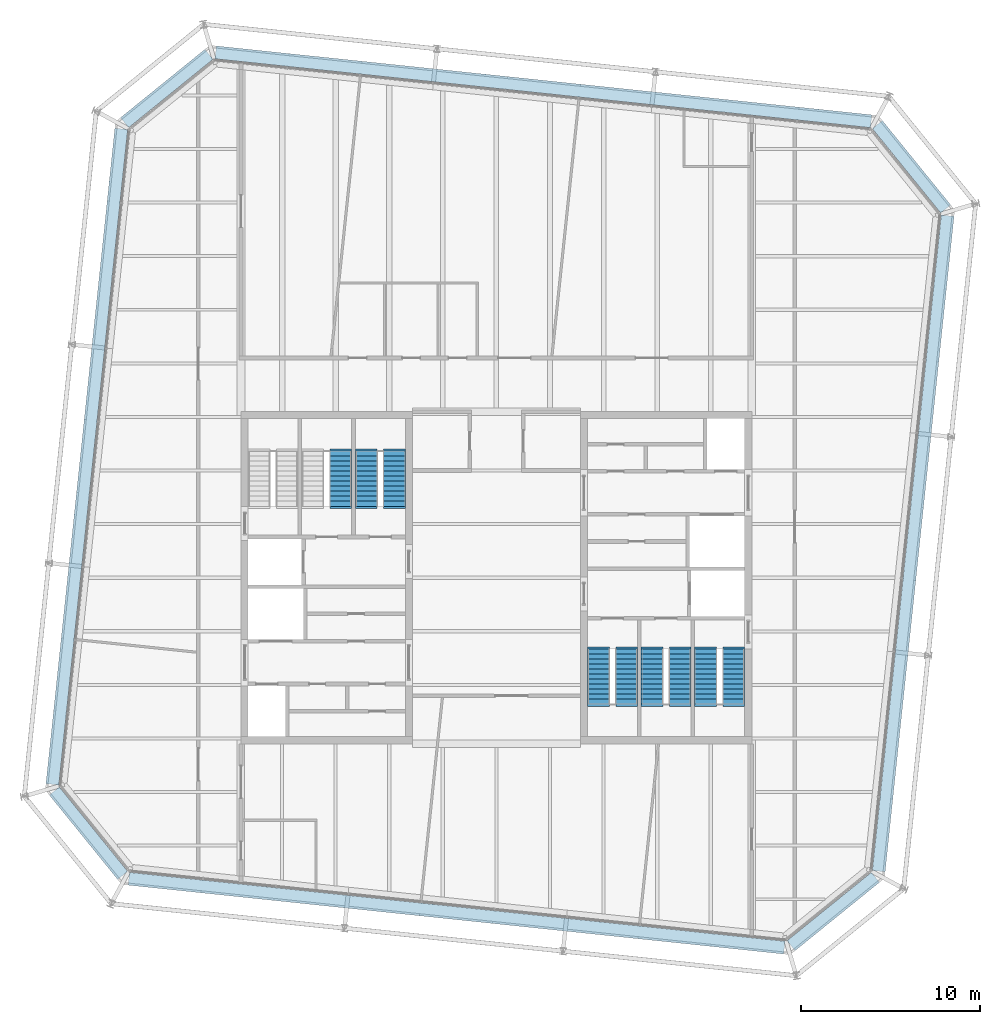
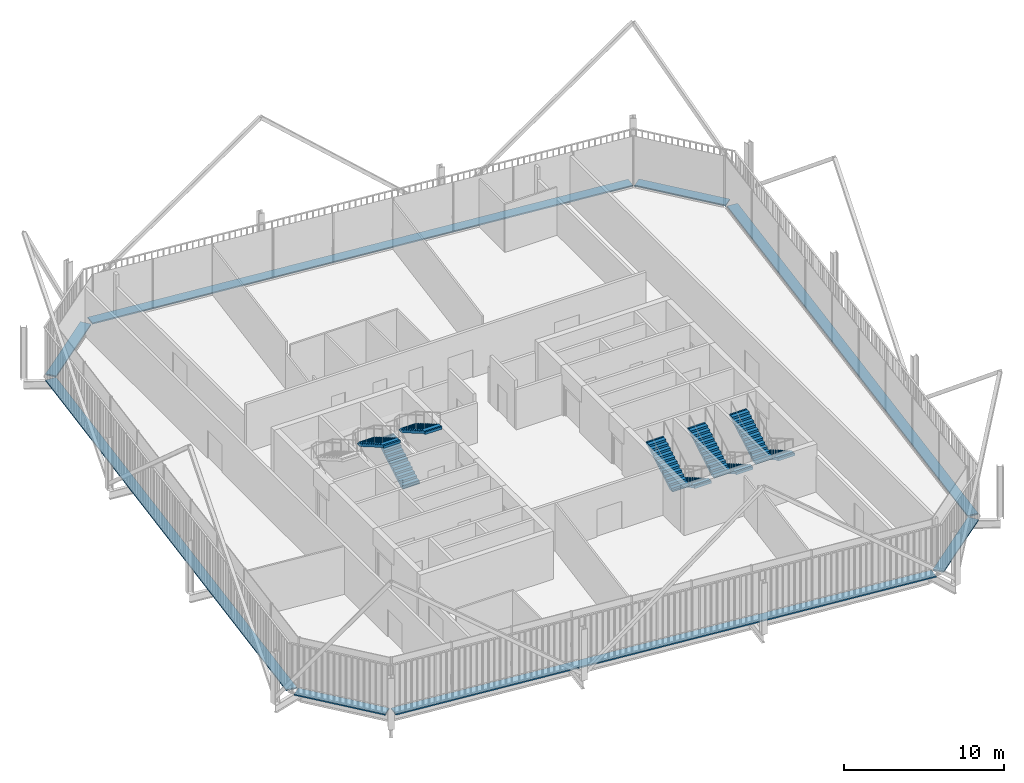
# One storey, part 20 of 21: 9 stair flights, 8 discrete accessories, 5 elements without a shape of their own.
"""IFC4 building model written with IfcOpenShell, lengths in metres."""

from ifc_helpers import new_model, si_unit, direction, frame, origin, origin_2d, place, context, subcontext, project, spatial, polyline, rectangle, outline, extrude, material, type_object, element, aggregate, save


model = new_model("IFC4")

# Units and contexts
model_context = context("Model", 3, precision=1e-05, world=origin(), true_north=direction((0.0, 1.0)))
body_context = subcontext(model_context, "Body", "Model", "MODEL_VIEW")
ifc_project = project(units=[si_unit("LENGTHUNIT", "METRE"), si_unit("AREAUNIT", "SQUARE_METRE"), si_unit("VOLUMEUNIT", "CUBIC_METRE"), si_unit("PLANEANGLEUNIT", "RADIAN"), si_unit("MASSUNIT", "GRAM", prefix="KILO")], contexts=[model_context])

# Site, building, storey
site_placement = place(None, origin())
site = spatial("IfcSite", under=ifc_project, at=site_placement, CompositionType="ELEMENT")
building_placement = place(site_placement, origin())
building = spatial("IfcBuilding", under=site, at=building_placement, Name="Millrace Tower", CompositionType="ELEMENT")
storey_placement = place(building_placement, frame((0.0, 0.0, 307.199951171875)))
storey = spatial("IfcBuildingStorey", under=building, at=storey_placement, Name="L71", CompositionType="ELEMENT", Elevation=307.199951171875)

# Stair, stair flight
ifc_material_1 = material(Name="Concrete C35", Category="concrete")
stair_type = type_object("IfcStairType", Name="Exit stair", PredefinedType="HALF_TURN_STAIR", material=ifc_material_1)
placement = place(storey_placement, origin())
stair_1 = element("IfcStair", 1, at=placement, inside=storey, type_object=stair_type, Name="Stair 2 W L71", PredefinedType="HALF_TURN_STAIR")
ifc_material_2 = material(Name="Concrete C35", Category="concrete")
stair_flight_type = type_object("IfcStairFlightType", Name="Exit stair flight", PredefinedType="STRAIGHT", material=ifc_material_2)
stair_flight_1_placement = place(storey_placement, frame((-8.7099609375, 7.080078125, 1.949951171875), z_axis=(0.0, 0.0, 1.0), x_axis=(0.0, -1.0, 0.0)))
stair_flight_1 = element("IfcStairFlight", 2, at=stair_flight_1_placement, type_object=stair_flight_type, Name="ST12 flight 2", NumberOfRisers=12, NumberOfTreads=11, PredefinedType="STRAIGHT", RiserHeight=0.1625, TreadLength=0.28, context=body_context, shape_type="SweptSolid", body=[
    extrude(outline(polyline([(-0.1201171875, -0.0400390625), (-0.1201171875, 0.0), (0.0, 0.0), (0.0, 0.16259765625), (0.280029296875, 0.16259765625), (0.280029296875, 0.324951171875), (0.56005859375, 0.324951171875), (0.56005859375, 0.487548828125), (0.840087890625, 0.487548828125), (0.840087890625, 0.64990234375), (1.1201171875, 0.64990234375), (1.1201171875, 0.8125), (1.39990234375, 0.8125), (1.39990234375, 0.97509765625), (1.679931640625, 0.97509765625), (1.679931640625, 1.137451171875), (1.9599609375, 1.137451171875), (1.9599609375, 1.300048828125), (2.239990234375, 1.300048828125), (2.239990234375, 1.46240234375), (2.52001953125, 1.46240234375), (2.52001953125, 1.625), (2.800048828125, 1.625), (2.800048828125, 1.78759765625), (3.080078125, 1.78759765625), (3.080078125, 1.8076171875), (3.199951171875, 1.8076171875), (3.199951171875, 1.6142578125), (3.080078125, 1.6142578125), (0.298583984375, 0.0), (0.298583984375, -0.0400390625), (-0.1201171875, -0.0400390625)])), frame((0.0, 0.60986328125, 0.0), z_axis=(0.0, -1.0, 0.0), x_axis=(1.0, 0.0, 0.0)), (0.0, 0.0, 1.0), 1.219970703125),
])
aggregate(stair_1, [stair_flight_1])

# Stair, stair flights
stair_2 = element("IfcStair", 3, at=placement, inside=storey, type_object=stair_type, Name="Stair 3 W L71", PredefinedType="HALF_TURN_STAIR")
stair_flight_2_placement = place(storey_placement, frame((-7.2900390625, 4.0, 0.0), z_axis=(0.0, 0.0, 1.0), x_axis=(0.0, 1.0, 0.0)))
stair_flight_2 = element("IfcStairFlight", 4, at=stair_flight_2_placement, type_object=stair_flight_type, Name="ST12 flight 1", NumberOfRisers=12, NumberOfTreads=11, PredefinedType="STRAIGHT", RiserHeight=0.1625, TreadLength=0.28, context=body_context, shape_type="SweptSolid", body=[
    extrude(outline(polyline([(-0.1201171875, -0.0400390625), (-0.1201171875, 0.0), (0.0, 0.0), (0.0, 0.16259765625), (0.280029296875, 0.16259765625), (0.280029296875, 0.324951171875), (0.56005859375, 0.324951171875), (0.56005859375, 0.487548828125), (0.840087890625, 0.487548828125), (0.840087890625, 0.64990234375), (1.1201171875, 0.64990234375), (1.1201171875, 0.8125), (1.39990234375, 0.8125), (1.39990234375, 0.97509765625), (1.679931640625, 0.97509765625), (1.679931640625, 1.137451171875), (1.9599609375, 1.137451171875), (1.9599609375, 1.300048828125), (2.239990234375, 1.300048828125), (2.239990234375, 1.46240234375), (2.52001953125, 1.46240234375), (2.52001953125, 1.625), (2.800048828125, 1.625), (2.800048828125, 1.78759765625), (3.080078125, 1.78759765625), (3.080078125, 1.8076171875), (3.199951171875, 1.8076171875), (3.199951171875, 1.6142578125), (3.080078125, 1.6142578125), (0.298583984375, 0.0), (0.298583984375, -0.0400390625), (-0.1201171875, -0.0400390625)])), frame((0.0, 0.60986328125, 0.0), z_axis=(0.0, -1.0, 0.0), x_axis=(1.0, 0.0, 0.0)), (0.0, 0.0, 1.0), 1.219970703125),
])
stair_flight_3_placement = place(storey_placement, frame((-5.7099609375, 7.080078125, 1.949951171875), z_axis=(0.0, 0.0, 1.0), x_axis=(0.0, -1.0, 0.0)))
stair_flight_3 = element("IfcStairFlight", 5, at=stair_flight_3_placement, type_object=stair_flight_type, Name="ST12 flight 2", NumberOfRisers=12, NumberOfTreads=11, PredefinedType="STRAIGHT", RiserHeight=0.1625, TreadLength=0.28, context=body_context, shape_type="SweptSolid", body=[
    extrude(outline(polyline([(-0.1201171875, -0.0400390625), (-0.1201171875, 0.0), (0.0, 0.0), (0.0, 0.16259765625), (0.280029296875, 0.16259765625), (0.280029296875, 0.324951171875), (0.56005859375, 0.324951171875), (0.56005859375, 0.487548828125), (0.840087890625, 0.487548828125), (0.840087890625, 0.64990234375), (1.1201171875, 0.64990234375), (1.1201171875, 0.8125), (1.39990234375, 0.8125), (1.39990234375, 0.97509765625), (1.679931640625, 0.97509765625), (1.679931640625, 1.137451171875), (1.9599609375, 1.137451171875), (1.9599609375, 1.300048828125), (2.239990234375, 1.300048828125), (2.239990234375, 1.46240234375), (2.52001953125, 1.46240234375), (2.52001953125, 1.625), (2.800048828125, 1.625), (2.800048828125, 1.78759765625), (3.080078125, 1.78759765625), (3.080078125, 1.8076171875), (3.199951171875, 1.8076171875), (3.199951171875, 1.6142578125), (3.080078125, 1.6142578125), (0.298583984375, 0.0), (0.298583984375, -0.0400390625), (-0.1201171875, -0.0400390625)])), frame((0.0, 0.60986328125, 0.0), z_axis=(0.0, -1.0, 0.0), x_axis=(1.0, 0.0, 0.0)), (0.0, 0.0, 1.0), 1.219970703125),
])
aggregate(stair_2, [stair_flight_2, stair_flight_3])

stair_3 = element("IfcStair", 6, at=placement, inside=storey, type_object=stair_type, Name="Stair 1 E L71", PredefinedType="HALF_TURN_STAIR")
stair_flight_4_placement = place(storey_placement, frame((13.2900390625, -4.0, 0.0), z_axis=(0.0, 0.0, 1.0), x_axis=(0.0, -1.0, 0.0)))
stair_flight_4 = element("IfcStairFlight", 7, at=stair_flight_4_placement, type_object=stair_flight_type, Name="ST12 flight 1", NumberOfRisers=12, NumberOfTreads=11, PredefinedType="STRAIGHT", RiserHeight=0.1625, TreadLength=0.28, context=body_context, shape_type="SweptSolid", body=[
    extrude(outline(polyline([(-0.1201171875, -0.0400390625), (-0.1201171875, 0.0), (0.0, 0.0), (0.0, 0.16259765625), (0.280029296875, 0.16259765625), (0.280029296875, 0.324951171875), (0.56005859375, 0.324951171875), (0.56005859375, 0.487548828125), (0.840087890625, 0.487548828125), (0.840087890625, 0.64990234375), (1.1201171875, 0.64990234375), (1.1201171875, 0.8125), (1.39990234375, 0.8125), (1.39990234375, 0.97509765625), (1.679931640625, 0.97509765625), (1.679931640625, 1.137451171875), (1.9599609375, 1.137451171875), (1.9599609375, 1.300048828125), (2.239990234375, 1.300048828125), (2.239990234375, 1.46240234375), (2.52001953125, 1.46240234375), (2.52001953125, 1.625), (2.800048828125, 1.625), (2.800048828125, 1.78759765625), (3.080078125, 1.78759765625), (3.080078125, 1.8076171875), (3.199951171875, 1.8076171875), (3.199951171875, 1.6142578125), (3.080078125, 1.6142578125), (0.298583984375, 0.0), (0.298583984375, -0.0400390625), (-0.1201171875, -0.0400390625)])), frame((0.0, 0.60986328125, 0.0), z_axis=(0.0, -1.0, 0.0), x_axis=(1.0, 0.0, 0.0)), (0.0, 0.0, 1.0), 1.219970703125),
])
stair_flight_5_placement = place(storey_placement, frame((11.7099609375, -7.080078125, 1.949951171875), z_axis=(0.0, 0.0, 1.0), x_axis=(0.0, 1.0, 0.0)))
stair_flight_5 = element("IfcStairFlight", 8, at=stair_flight_5_placement, type_object=stair_flight_type, Name="ST12 flight 2", NumberOfRisers=12, NumberOfTreads=11, PredefinedType="STRAIGHT", RiserHeight=0.1625, TreadLength=0.28, context=body_context, shape_type="SweptSolid", body=[
    extrude(outline(polyline([(-0.1201171875, -0.0400390625), (-0.1201171875, 0.0), (0.0, 0.0), (0.0, 0.16259765625), (0.280029296875, 0.16259765625), (0.280029296875, 0.324951171875), (0.56005859375, 0.324951171875), (0.56005859375, 0.487548828125), (0.840087890625, 0.487548828125), (0.840087890625, 0.64990234375), (1.1201171875, 0.64990234375), (1.1201171875, 0.8125), (1.39990234375, 0.8125), (1.39990234375, 0.97509765625), (1.679931640625, 0.97509765625), (1.679931640625, 1.137451171875), (1.9599609375, 1.137451171875), (1.9599609375, 1.300048828125), (2.239990234375, 1.300048828125), (2.239990234375, 1.46240234375), (2.52001953125, 1.46240234375), (2.52001953125, 1.625), (2.800048828125, 1.625), (2.800048828125, 1.78759765625), (3.080078125, 1.78759765625), (3.080078125, 1.8076171875), (3.199951171875, 1.8076171875), (3.199951171875, 1.6142578125), (3.080078125, 1.6142578125), (0.298583984375, 0.0), (0.298583984375, -0.0400390625), (-0.1201171875, -0.0400390625)])), frame((0.0, 0.60986328125, 0.0), z_axis=(0.0, -1.0, 0.0), x_axis=(1.0, 0.0, 0.0)), (0.0, 0.0, 1.0), 1.219970703125),
])
aggregate(stair_3, [stair_flight_4, stair_flight_5])

stair_4 = element("IfcStair", 9, at=placement, inside=storey, type_object=stair_type, Name="Stair 2 E L71", PredefinedType="HALF_TURN_STAIR")
stair_flight_6_placement = place(storey_placement, frame((10.2900390625, -4.0, 0.0), z_axis=(0.0, 0.0, 1.0), x_axis=(0.0, -1.0, 0.0)))
stair_flight_6 = element("IfcStairFlight", 10, at=stair_flight_6_placement, type_object=stair_flight_type, Name="ST12 flight 1", NumberOfRisers=12, NumberOfTreads=11, PredefinedType="STRAIGHT", RiserHeight=0.1625, TreadLength=0.28, context=body_context, shape_type="SweptSolid", body=[
    extrude(outline(polyline([(-0.1201171875, -0.0400390625), (-0.1201171875, 0.0), (0.0, 0.0), (0.0, 0.16259765625), (0.280029296875, 0.16259765625), (0.280029296875, 0.324951171875), (0.56005859375, 0.324951171875), (0.56005859375, 0.487548828125), (0.840087890625, 0.487548828125), (0.840087890625, 0.64990234375), (1.1201171875, 0.64990234375), (1.1201171875, 0.8125), (1.39990234375, 0.8125), (1.39990234375, 0.97509765625), (1.679931640625, 0.97509765625), (1.679931640625, 1.137451171875), (1.9599609375, 1.137451171875), (1.9599609375, 1.300048828125), (2.239990234375, 1.300048828125), (2.239990234375, 1.46240234375), (2.52001953125, 1.46240234375), (2.52001953125, 1.625), (2.800048828125, 1.625), (2.800048828125, 1.78759765625), (3.080078125, 1.78759765625), (3.080078125, 1.8076171875), (3.199951171875, 1.8076171875), (3.199951171875, 1.6142578125), (3.080078125, 1.6142578125), (0.298583984375, 0.0), (0.298583984375, -0.0400390625), (-0.1201171875, -0.0400390625)])), frame((0.0, 0.60986328125, 0.0), z_axis=(0.0, -1.0, 0.0), x_axis=(1.0, 0.0, 0.0)), (0.0, 0.0, 1.0), 1.219970703125),
])
stair_flight_7_placement = place(storey_placement, frame((8.7099609375, -7.080078125, 1.949951171875), z_axis=(0.0, 0.0, 1.0), x_axis=(0.0, 1.0, 0.0)))
stair_flight_7 = element("IfcStairFlight", 11, at=stair_flight_7_placement, type_object=stair_flight_type, Name="ST12 flight 2", NumberOfRisers=12, NumberOfTreads=11, PredefinedType="STRAIGHT", RiserHeight=0.1625, TreadLength=0.28, context=body_context, shape_type="SweptSolid", body=[
    extrude(outline(polyline([(-0.1201171875, -0.0400390625), (-0.1201171875, 0.0), (0.0, 0.0), (0.0, 0.16259765625), (0.280029296875, 0.16259765625), (0.280029296875, 0.324951171875), (0.56005859375, 0.324951171875), (0.56005859375, 0.487548828125), (0.840087890625, 0.487548828125), (0.840087890625, 0.64990234375), (1.1201171875, 0.64990234375), (1.1201171875, 0.8125), (1.39990234375, 0.8125), (1.39990234375, 0.97509765625), (1.679931640625, 0.97509765625), (1.679931640625, 1.137451171875), (1.9599609375, 1.137451171875), (1.9599609375, 1.300048828125), (2.239990234375, 1.300048828125), (2.239990234375, 1.46240234375), (2.52001953125, 1.46240234375), (2.52001953125, 1.625), (2.800048828125, 1.625), (2.800048828125, 1.78759765625), (3.080078125, 1.78759765625), (3.080078125, 1.8076171875), (3.199951171875, 1.8076171875), (3.199951171875, 1.6142578125), (3.080078125, 1.6142578125), (0.298583984375, 0.0), (0.298583984375, -0.0400390625), (-0.1201171875, -0.0400390625)])), frame((0.0, 0.60986328125, 0.0), z_axis=(0.0, -1.0, 0.0), x_axis=(1.0, 0.0, 0.0)), (0.0, 0.0, 1.0), 1.219970703125),
])
aggregate(stair_4, [stair_flight_6, stair_flight_7])

stair_5 = element("IfcStair", 12, at=placement, inside=storey, type_object=stair_type, Name="Stair 3 E L71", PredefinedType="HALF_TURN_STAIR")
stair_flight_8_placement = place(storey_placement, frame((7.2900390625, -4.0, 0.0), z_axis=(0.0, 0.0, 1.0), x_axis=(0.0, -1.0, 0.0)))
stair_flight_8 = element("IfcStairFlight", 13, at=stair_flight_8_placement, type_object=stair_flight_type, Name="ST12 flight 1", NumberOfRisers=12, NumberOfTreads=11, PredefinedType="STRAIGHT", RiserHeight=0.1625, TreadLength=0.28, context=body_context, shape_type="SweptSolid", body=[
    extrude(outline(polyline([(-0.1201171875, -0.0400390625), (-0.1201171875, 0.0), (0.0, 0.0), (0.0, 0.16259765625), (0.280029296875, 0.16259765625), (0.280029296875, 0.324951171875), (0.56005859375, 0.324951171875), (0.56005859375, 0.487548828125), (0.840087890625, 0.487548828125), (0.840087890625, 0.64990234375), (1.1201171875, 0.64990234375), (1.1201171875, 0.8125), (1.39990234375, 0.8125), (1.39990234375, 0.97509765625), (1.679931640625, 0.97509765625), (1.679931640625, 1.137451171875), (1.9599609375, 1.137451171875), (1.9599609375, 1.300048828125), (2.239990234375, 1.300048828125), (2.239990234375, 1.46240234375), (2.52001953125, 1.46240234375), (2.52001953125, 1.625), (2.800048828125, 1.625), (2.800048828125, 1.78759765625), (3.080078125, 1.78759765625), (3.080078125, 1.8076171875), (3.199951171875, 1.8076171875), (3.199951171875, 1.6142578125), (3.080078125, 1.6142578125), (0.298583984375, 0.0), (0.298583984375, -0.0400390625), (-0.1201171875, -0.0400390625)])), frame((0.0, 0.60986328125, 0.0), z_axis=(0.0, -1.0, 0.0), x_axis=(1.0, 0.0, 0.0)), (0.0, 0.0, 1.0), 1.219970703125),
])
stair_flight_9_placement = place(storey_placement, frame((5.7099609375, -7.080078125, 1.949951171875), z_axis=(0.0, 0.0, 1.0), x_axis=(0.0, 1.0, 0.0)))
stair_flight_9 = element("IfcStairFlight", 14, at=stair_flight_9_placement, type_object=stair_flight_type, Name="ST12 flight 2", NumberOfRisers=12, NumberOfTreads=11, PredefinedType="STRAIGHT", RiserHeight=0.1625, TreadLength=0.28, context=body_context, shape_type="SweptSolid", body=[
    extrude(outline(polyline([(-0.1201171875, -0.0400390625), (-0.1201171875, 0.0), (0.0, 0.0), (0.0, 0.16259765625), (0.280029296875, 0.16259765625), (0.280029296875, 0.324951171875), (0.56005859375, 0.324951171875), (0.56005859375, 0.487548828125), (0.840087890625, 0.487548828125), (0.840087890625, 0.64990234375), (1.1201171875, 0.64990234375), (1.1201171875, 0.8125), (1.39990234375, 0.8125), (1.39990234375, 0.97509765625), (1.679931640625, 0.97509765625), (1.679931640625, 1.137451171875), (1.9599609375, 1.137451171875), (1.9599609375, 1.300048828125), (2.239990234375, 1.300048828125), (2.239990234375, 1.46240234375), (2.52001953125, 1.46240234375), (2.52001953125, 1.625), (2.800048828125, 1.625), (2.800048828125, 1.78759765625), (3.080078125, 1.78759765625), (3.080078125, 1.8076171875), (3.199951171875, 1.8076171875), (3.199951171875, 1.6142578125), (3.080078125, 1.6142578125), (0.298583984375, 0.0), (0.298583984375, -0.0400390625), (-0.1201171875, -0.0400390625)])), frame((0.0, 0.60986328125, 0.0), z_axis=(0.0, -1.0, 0.0), x_axis=(1.0, 0.0, 0.0)), (0.0, 0.0, 1.0), 1.219970703125),
])
aggregate(stair_5, [stair_flight_8, stair_flight_9])

# Discrete accessories
ifc_material_3 = material(Name="Stainless steel ASTM A240 type 316", Category="steel")
discrete_accessory_type = type_object("IfcDiscreteAccessoryType", Name="Thermally broken screen support rail", PredefinedType="BRACKET", material=ifc_material_3)
discrete_accessory_1_placement = place(storey_placement, frame((-22.836669921875, -14.304931640625, 0.0), z_axis=(0.0, 0.0, 1.0), x_axis=(0.629320278945, -0.777146052237, 0.0)))
element("IfcDiscreteAccessory", 15, at=discrete_accessory_1_placement, inside=storey, type_object=discrete_accessory_type, Name="Thermally broken screen support rail E-F01 L71 1", PredefinedType="BRACKET", context=body_context, shape_type="SweptSolid", body=[
    extrude(rectangle(XDim=6.0810546875, YDim=0.719970703125, at=origin_2d()), origin(), (0.0, 0.0, 1.0), 0.10009765625),
])
discrete_accessory_2_placement = place(storey_placement, frame((-2.2314453125, -18.782470703125, 0.0), z_axis=(0.0, 0.0, 1.0), x_axis=(0.994521896217, -0.104528455196, 0.0)))
element("IfcDiscreteAccessory", 16, at=discrete_accessory_2_placement, inside=storey, type_object=discrete_accessory_type, Name="Thermally broken screen support rail E-F02 L71 1", PredefinedType="BRACKET", context=body_context, shape_type="SweptSolid", body=[
    extrude(rectangle(XDim=36.89990234375, YDim=0.719970703125, at=origin_2d()), origin(), (0.0, 0.0, 1.0), 0.10009765625),
])
discrete_accessory_3_placement = place(storey_placement, frame((18.854736328125, -18.686767578125, 0.0), z_axis=(0.0, 0.0, 1.0), x_axis=(0.777146052237, 0.629320278945, 0.0)))
element("IfcDiscreteAccessory", 17, at=discrete_accessory_3_placement, inside=storey, type_object=discrete_accessory_type, Name="Thermally broken screen support rail E-F03 L71 1", PredefinedType="BRACKET", context=body_context, shape_type="SweptSolid", body=[
    extrude(rectangle(XDim=6.0810546875, YDim=0.719970703125, at=origin_2d()), origin(), (0.0, 0.0, 1.0), 0.10009765625),
])
discrete_accessory_4_placement = place(storey_placement, frame((23.33251953125, 1.918701171875, 0.0), z_axis=(0.0, 0.0, 1.0), x_axis=(0.104528455196, 0.994521896217, 0.0)))
element("IfcDiscreteAccessory", 18, at=discrete_accessory_4_placement, inside=storey, type_object=discrete_accessory_type, Name="Thermally broken screen support rail E-F04 L71 1", PredefinedType="BRACKET", context=body_context, shape_type="SweptSolid", body=[
    extrude(rectangle(XDim=36.89990234375, YDim=0.719970703125, at=origin_2d()), origin(), (0.0, 0.0, 1.0), 0.10009765625),
])
discrete_accessory_5_placement = place(storey_placement, frame((23.23681640625, 23.0048828125, 0.0), z_axis=(0.0, 0.0, 1.0), x_axis=(-0.629320278945, 0.777146052237, 0.0)))
element("IfcDiscreteAccessory", 19, at=discrete_accessory_5_placement, inside=storey, type_object=discrete_accessory_type, Name="Thermally broken screen support rail E-F05 L71 1", PredefinedType="BRACKET", context=body_context, shape_type="SweptSolid", body=[
    extrude(rectangle(XDim=6.0810546875, YDim=0.719970703125, at=origin_2d()), origin(), (0.0, 0.0, 1.0), 0.10009765625),
])
discrete_accessory_6_placement = place(storey_placement, frame((2.63134765625, 27.482666015625, 0.0), z_axis=(0.0, 0.0, 1.0), x_axis=(-0.994521896217, 0.104528455196, 0.0)))
element("IfcDiscreteAccessory", 20, at=discrete_accessory_6_placement, inside=storey, type_object=discrete_accessory_type, Name="Thermally broken screen support rail E-F06 L71 1", PredefinedType="BRACKET", context=body_context, shape_type="SweptSolid", body=[
    extrude(rectangle(XDim=36.89990234375, YDim=0.719970703125, at=origin_2d()), origin(), (0.0, 0.0, 1.0), 0.10009765625),
])
discrete_accessory_7_placement = place(storey_placement, frame((-18.454833984375, 27.38671875, 0.0), z_axis=(0.0, 0.0, 1.0), x_axis=(-0.777146052237, -0.629320278945, 0.0)))
element("IfcDiscreteAccessory", 21, at=discrete_accessory_7_placement, inside=storey, type_object=discrete_accessory_type, Name="Thermally broken screen support rail E-F07 L71 1", PredefinedType="BRACKET", context=body_context, shape_type="SweptSolid", body=[
    extrude(rectangle(XDim=6.0810546875, YDim=0.719970703125, at=origin_2d()), origin(), (0.0, 0.0, 1.0), 0.10009765625),
])
discrete_accessory_8_placement = place(storey_placement, frame((-22.9326171875, 6.78125, 0.0), z_axis=(0.0, 0.0, 1.0), x_axis=(-0.104528455196, -0.994521896217, 0.0)))
element("IfcDiscreteAccessory", 22, at=discrete_accessory_8_placement, inside=storey, type_object=discrete_accessory_type, Name="Thermally broken screen support rail E-F08 L71 1", PredefinedType="BRACKET", context=body_context, shape_type="SweptSolid", body=[
    extrude(rectangle(XDim=36.89990234375, YDim=0.719970703125, at=origin_2d()), origin(), (0.0, 0.0, 1.0), 0.10009765625),
])

save(model, "model.ifc")
